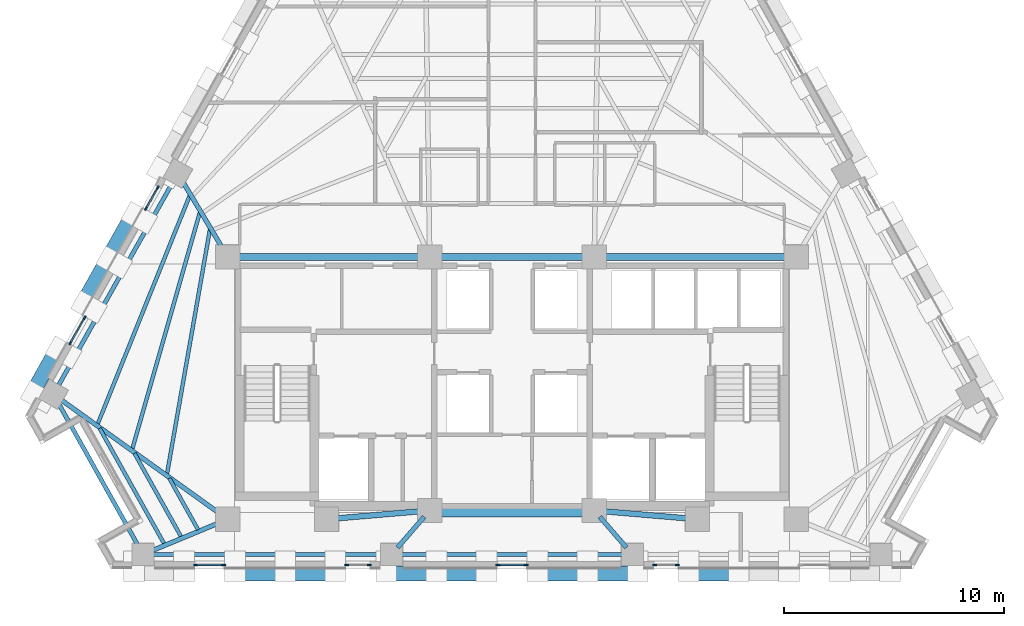
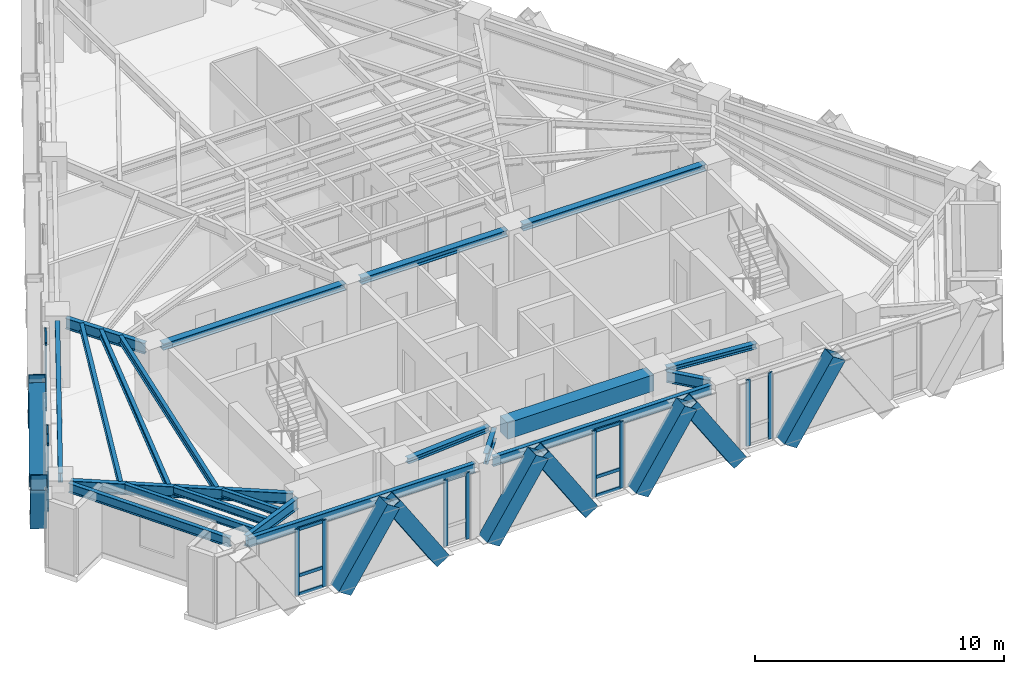
# One storey, part 2 of 13: 34 members, 21 beams, 6 elements without a shape of their own.
"""IFC4 building model written with IfcOpenShell, lengths in metres."""

from ifc_helpers import new_model, si_unit, direction, frame, origin, origin_2d, place, context, subcontext, project, spatial, rectangle, hollow_rectangle, i_section, extrude, material, material_profile, profile_set, type_object, element, aggregate, save


model = new_model("IFC4")

# Units and contexts
model_context = context("Model", 3, precision=1e-05, world=origin(), true_north=direction((0.0, 1.0)))
body_context = subcontext(model_context, "Body", "Model", "MODEL_VIEW")
ifc_project = project(units=[si_unit("LENGTHUNIT", "METRE"), si_unit("AREAUNIT", "SQUARE_METRE"), si_unit("VOLUMEUNIT", "CUBIC_METRE"), si_unit("PLANEANGLEUNIT", "RADIAN"), si_unit("MASSUNIT", "GRAM", prefix="KILO")], contexts=[model_context])

# Site, building, storey
site_placement = place(None, origin())
site = spatial("IfcSite", under=ifc_project, at=site_placement, CompositionType="ELEMENT")
building_placement = place(site_placement, origin())
building = spatial("IfcBuilding", under=site, at=building_placement, Name="Quenlor Broadcast Tower", CompositionType="ELEMENT")
storey_placement = place(building_placement, frame((0.0, 0.0, 137.0)))
storey = spatial("IfcBuildingStorey", under=building, at=storey_placement, Name="L37", CompositionType="ELEMENT", Elevation=137.0)

# Curtain wall, members
ifc_material_1 = material(Name="Architectural Terracotta and Low-E Glazing", Category="masonry")
curtain_wall_type = type_object("IfcCurtainWallType", Name="Unitised Terracotta Curtain Wall System Z3", PredefinedType="NOTDEFINED", material=ifc_material_1)
curtain_wall_1_placement = place(storey_placement, origin())
curtain_wall_1 = element("IfcCurtainWall", 1, at=curtain_wall_1_placement, inside=storey, type_object=curtain_wall_type, Name="L37 Curtain Wall CW3 (L37-SA-G2)", PredefinedType="NOTDEFINED")
ifc_material_2 = material(Name="Aluminium 6063-T6", Category="aluminium")
ifc_material_profile_1 = material_profile(ifc_material_2, rectangle(XDim=0.070068359375, YDim=0.18994140625, at=origin_2d()))
ifc_profile_set_1 = profile_set([ifc_material_profile_1], Name="Aluminium 6063-T6 MULL70x190")
member_type_1 = type_object("IfcMemberType", Name="CW3 Aluminium Mullion MULL_CW3", PredefinedType="MULLION", material=ifc_profile_set_1)
member_1_placement = place(storey_placement, frame((7.52197265625, -18.824951171875, 0.0), z_axis=(0.0, 0.0, 1.0), x_axis=(0.0, -1.0, 0.0)))
member_1 = element("IfcMember", 2, at=member_1_placement, type_object=member_type_1, Name="CW3 mullion 1", PredefinedType="MULLION", context=body_context, shape_type="SweptSolid", body=[
    extrude(rectangle(XDim=0.070068359375, YDim=0.18994140625, at=origin_2d()), origin(), (0.0, 0.0, 1.0), 3.25),
])
member_2_placement = place(storey_placement, frame((6.5009765625, -18.824951171875, 0.0), z_axis=(0.0, 0.0, 1.0), x_axis=(0.0, -1.0, 0.0)))
member_2 = element("IfcMember", 3, at=member_2_placement, type_object=member_type_1, Name="CW3 mullion 2", PredefinedType="MULLION", context=body_context, shape_type="SweptSolid", body=[
    extrude(rectangle(XDim=0.070068359375, YDim=0.18994140625, at=origin_2d()), origin(), (0.0, 0.0, 1.0), 3.25),
])
aggregate(curtain_wall_1, [member_1, member_2])

curtain_wall_2_placement = place(storey_placement, origin())
curtain_wall_2 = element("IfcCurtainWall", 4, at=curtain_wall_2_placement, inside=storey, type_object=curtain_wall_type, Name="L37 Curtain Wall CW3 (L37-SC-G1)", PredefinedType="NOTDEFINED")
member_3_placement = place(storey_placement, frame((-6.5009765625, -18.824951171875, 0.0), z_axis=(0.0, 0.0, 1.0), x_axis=(0.0, -1.0, 0.0)))
member_3 = element("IfcMember", 5, at=member_3_placement, type_object=member_type_1, Name="CW3 mullion 1", PredefinedType="MULLION", context=body_context, shape_type="SweptSolid", body=[
    extrude(rectangle(XDim=0.070068359375, YDim=0.18994140625, at=origin_2d()), origin(), (0.0, 0.0, 1.0), 3.25),
])
member_4_placement = place(storey_placement, frame((-7.52197265625, -18.824951171875, 0.0), z_axis=(0.0, 0.0, 1.0), x_axis=(0.0, -1.0, 0.0)))
member_4 = element("IfcMember", 6, at=member_4_placement, type_object=member_type_1, Name="CW3 mullion 2", PredefinedType="MULLION", context=body_context, shape_type="SweptSolid", body=[
    extrude(rectangle(XDim=0.070068359375, YDim=0.18994140625, at=origin_2d()), origin(), (0.0, 0.0, 1.0), 3.25),
])
aggregate(curtain_wall_2, [member_3, member_4])

curtain_wall_3_placement = place(storey_placement, origin())
curtain_wall_3 = element("IfcCurtainWall", 7, at=curtain_wall_3_placement, inside=storey, type_object=curtain_wall_type, Name="L37 Curtain Wall CW3 (L37-SC-G2)", PredefinedType="NOTDEFINED")
member_5_placement = place(storey_placement, frame((-13.14208984375, -18.824951171875, 0.0), z_axis=(0.0, 0.0, 1.0), x_axis=(0.0, -1.0, 0.0)))
member_5 = element("IfcMember", 8, at=member_5_placement, type_object=member_type_1, Name="CW3 mullion 1", PredefinedType="MULLION", context=body_context, shape_type="SweptSolid", body=[
    extrude(rectangle(XDim=0.070068359375, YDim=0.18994140625, at=origin_2d()), origin(), (0.0, 0.0, 1.0), 3.25),
])
member_6_placement = place(storey_placement, frame((-14.409912109375, -18.824951171875, 0.0), z_axis=(0.0, 0.0, 1.0), x_axis=(0.0, -1.0, 0.0)))
member_6 = element("IfcMember", 9, at=member_6_placement, type_object=member_type_1, Name="CW3 mullion 2", PredefinedType="MULLION", context=body_context, shape_type="SweptSolid", body=[
    extrude(rectangle(XDim=0.070068359375, YDim=0.18994140625, at=origin_2d()), origin(), (0.0, 0.0, 1.0), 3.25),
])

curtain_wall_4_placement = place(storey_placement, origin())
curtain_wall_4 = element("IfcCurtainWall", 10, at=curtain_wall_4_placement, inside=storey, type_object=curtain_wall_type, Name="L37 Curtain Wall CW3 (L37-S-G1)", PredefinedType="NOTDEFINED")
member_7_placement = place(storey_placement, frame((0.634033203125, -18.824951171875, 0.0), z_axis=(0.0, 0.0, 1.0), x_axis=(0.0, -1.0, 0.0)))
member_7 = element("IfcMember", 11, at=member_7_placement, type_object=member_type_1, Name="CW3 mullion 1", PredefinedType="MULLION", context=body_context, shape_type="SweptSolid", body=[
    extrude(rectangle(XDim=0.070068359375, YDim=0.18994140625, at=origin_2d()), origin(), (0.0, 0.0, 1.0), 3.25),
])
member_8_placement = place(storey_placement, frame((-0.634033203125, -18.824951171875, 0.0), z_axis=(0.0, 0.0, 1.0), x_axis=(0.0, -1.0, 0.0)))
member_8 = element("IfcMember", 12, at=member_8_placement, type_object=member_type_1, Name="CW3 mullion 2", PredefinedType="MULLION", context=body_context, shape_type="SweptSolid", body=[
    extrude(rectangle(XDim=0.070068359375, YDim=0.18994140625, at=origin_2d()), origin(), (0.0, 0.0, 1.0), 3.25),
])

curtain_wall_5_placement = place(storey_placement, origin())
curtain_wall_5 = element("IfcCurtainWall", 13, at=curtain_wall_5_placement, inside=storey, type_object=curtain_wall_type, Name="L37 Curtain Wall CW3 (L37-NWA-G1)", PredefinedType="NOTDEFINED")
member_9_placement = place(storey_placement, frame((-20.1171875, -8.720703125, 0.0), z_axis=(0.0, 0.0, 1.0), x_axis=(-0.871575537123, 0.490261239636, 0.0)))
member_9 = element("IfcMember", 14, at=member_9_placement, type_object=member_type_1, Name="CW3 mullion 1", PredefinedType="MULLION", context=body_context, shape_type="SweptSolid", body=[
    extrude(rectangle(XDim=0.070068359375, YDim=0.18994140625, at=origin_2d()), origin(), (0.0, 0.0, 1.0), 3.25),
])
member_10_placement = place(storey_placement, frame((-19.47021484375, -7.570556640625, 0.0), z_axis=(0.0, 0.0, 1.0), x_axis=(-0.871575537123, 0.490261239636, 0.0)))
member_10 = element("IfcMember", 15, at=member_10_placement, type_object=member_type_1, Name="CW3 mullion 2", PredefinedType="MULLION", context=body_context, shape_type="SweptSolid", body=[
    extrude(rectangle(XDim=0.070068359375, YDim=0.18994140625, at=origin_2d()), origin(), (0.0, 0.0, 1.0), 3.25),
])

curtain_wall_6_placement = place(storey_placement, origin())
curtain_wall_6 = element("IfcCurtainWall", 16, at=curtain_wall_6_placement, inside=storey, type_object=curtain_wall_type, Name="L37 Curtain Wall CW3 (L37-NWA-G2)", PredefinedType="NOTDEFINED")
member_11_placement = place(storey_placement, frame((-16.6689453125, -2.5908203125, 0.0), z_axis=(0.0, 0.0, 1.0), x_axis=(-0.871580169247, 0.490253004657, 0.0)))
member_11 = element("IfcMember", 17, at=member_11_placement, type_object=member_type_1, Name="CW3 mullion 1", PredefinedType="MULLION", context=body_context, shape_type="SweptSolid", body=[
    extrude(rectangle(XDim=0.070068359375, YDim=0.18994140625, at=origin_2d()), origin(), (0.0, 0.0, 1.0), 3.25),
])
member_12_placement = place(storey_placement, frame((-16.137939453125, -1.646728515625, 0.0), z_axis=(0.0, 0.0, 1.0), x_axis=(-0.871580169247, 0.490253004657, 0.0)))
member_12 = element("IfcMember", 18, at=member_12_placement, type_object=member_type_1, Name="CW3 mullion 2", PredefinedType="MULLION", context=body_context, shape_type="SweptSolid", body=[
    extrude(rectangle(XDim=0.070068359375, YDim=0.18994140625, at=origin_2d()), origin(), (0.0, 0.0, 1.0), 3.25),
])

# Member
ifc_material_3 = material(Name="Aluminium 6063-T6", Category="aluminium")
ifc_material_profile_2 = material_profile(ifc_material_3, rectangle(XDim=0.070068359375, YDim=0.155029296875, at=origin_2d()))
ifc_profile_set_2 = profile_set([ifc_material_profile_2], Name="Aluminium 6063-T6 TRAN70x155")
member_type_2 = type_object("IfcMemberType", Name="CW3 Aluminium Transom TRAN_CW3", PredefinedType="USERDEFINED", material=ifc_profile_set_2)
member_13_placement = place(storey_placement, frame((-13.177001953125, -18.824951171875, 0.034912109375), z_axis=(-1.0, 0.0, 0.0), x_axis=(0.0, -1.0, 0.0)))
member_13 = element("IfcMember", 19, at=member_13_placement, type_object=member_type_2, Name="CW3 transom 1.1", ObjectType="TRANSOM", PredefinedType="USERDEFINED", context=body_context, shape_type="SweptSolid", body=[
    extrude(rectangle(XDim=0.070068359375, YDim=0.155029296875, at=origin_2d()), origin(), (0.0, 0.0, 1.0), 1.197998046875),
])

member_14_placement = place(storey_placement, frame((-13.177001953125, -18.824951171875, 0.949951171875), z_axis=(-1.0, 0.0, 0.0), x_axis=(0.0, -1.0, 0.0)))
member_14 = element("IfcMember", 20, at=member_14_placement, type_object=member_type_2, Name="CW3 transom 1.2", ObjectType="TRANSOM", PredefinedType="USERDEFINED", context=body_context, shape_type="SweptSolid", body=[
    extrude(rectangle(XDim=0.070068359375, YDim=0.155029296875, at=origin_2d()), origin(), (0.0, 0.0, 1.0), 1.197998046875),
])

member_15_placement = place(storey_placement, frame((-13.177001953125, -18.824951171875, 3.215087890625), z_axis=(-1.0, 0.0, 0.0), x_axis=(0.0, -1.0, 0.0)))
member_15 = element("IfcMember", 21, at=member_15_placement, type_object=member_type_2, Name="CW3 transom 1.3", ObjectType="TRANSOM", PredefinedType="USERDEFINED", context=body_context, shape_type="SweptSolid", body=[
    extrude(rectangle(XDim=0.070068359375, YDim=0.155029296875, at=origin_2d()), origin(), (0.0, 0.0, 1.0), 1.197998046875),
])

aggregate(curtain_wall_3, [member_5, member_6, member_13, member_14, member_15])

member_16_placement = place(storey_placement, frame((0.59912109375, -18.824951171875, 0.034912109375), z_axis=(-1.0, 0.0, 0.0), x_axis=(0.0, -1.0, 0.0)))
member_16 = element("IfcMember", 22, at=member_16_placement, type_object=member_type_2, Name="CW3 transom 1.1", ObjectType="TRANSOM", PredefinedType="USERDEFINED", context=body_context, shape_type="SweptSolid", body=[
    extrude(rectangle(XDim=0.070068359375, YDim=0.155029296875, at=origin_2d()), origin(), (0.0, 0.0, 1.0), 1.1982421875),
])

member_17_placement = place(storey_placement, frame((0.59912109375, -18.824951171875, 0.949951171875), z_axis=(-1.0, 0.0, 0.0), x_axis=(0.0, -1.0, 0.0)))
member_17 = element("IfcMember", 23, at=member_17_placement, type_object=member_type_2, Name="CW3 transom 1.2", ObjectType="TRANSOM", PredefinedType="USERDEFINED", context=body_context, shape_type="SweptSolid", body=[
    extrude(rectangle(XDim=0.070068359375, YDim=0.155029296875, at=origin_2d()), origin(), (0.0, 0.0, 1.0), 1.1982421875),
])

member_18_placement = place(storey_placement, frame((0.59912109375, -18.824951171875, 3.215087890625), z_axis=(-1.0, 0.0, 0.0), x_axis=(0.0, -1.0, 0.0)))
member_18 = element("IfcMember", 24, at=member_18_placement, type_object=member_type_2, Name="CW3 transom 1.3", ObjectType="TRANSOM", PredefinedType="USERDEFINED", context=body_context, shape_type="SweptSolid", body=[
    extrude(rectangle(XDim=0.070068359375, YDim=0.155029296875, at=origin_2d()), origin(), (0.0, 0.0, 1.0), 1.1982421875),
])

aggregate(curtain_wall_4, [member_7, member_8, member_16, member_17, member_18])

member_19_placement = place(storey_placement, frame((-20.10009765625, -8.690185546875, 0.034912109375), z_axis=(0.490363266059, 0.871518139398, 0.0), x_axis=(-0.871518139398, 0.490363266059, 0.0)))
member_19 = element("IfcMember", 25, at=member_19_placement, type_object=member_type_2, Name="CW3 transom 1.1", ObjectType="TRANSOM", PredefinedType="USERDEFINED", context=body_context, shape_type="SweptSolid", body=[
    extrude(rectangle(XDim=0.070068359375, YDim=0.155029296875, at=origin_2d()), origin(), (0.0, 0.0, 1.0), 1.249755859375),
])

member_20_placement = place(storey_placement, frame((-20.10009765625, -8.690185546875, 0.949951171875), z_axis=(0.490363266059, 0.871518139398, 0.0), x_axis=(-0.871518139398, 0.490363266059, 0.0)))
member_20 = element("IfcMember", 26, at=member_20_placement, type_object=member_type_2, Name="CW3 transom 1.2", ObjectType="TRANSOM", PredefinedType="USERDEFINED", context=body_context, shape_type="SweptSolid", body=[
    extrude(rectangle(XDim=0.070068359375, YDim=0.155029296875, at=origin_2d()), origin(), (0.0, 0.0, 1.0), 1.249755859375),
])

member_21_placement = place(storey_placement, frame((-20.10009765625, -8.690185546875, 3.215087890625), z_axis=(0.490363266059, 0.871518139398, 0.0), x_axis=(-0.871518139398, 0.490363266059, 0.0)))
member_21 = element("IfcMember", 27, at=member_21_placement, type_object=member_type_2, Name="CW3 transom 1.3", ObjectType="TRANSOM", PredefinedType="USERDEFINED", context=body_context, shape_type="SweptSolid", body=[
    extrude(rectangle(XDim=0.070068359375, YDim=0.155029296875, at=origin_2d()), origin(), (0.0, 0.0, 1.0), 1.249755859375),
])

aggregate(curtain_wall_5, [member_9, member_10, member_19, member_20, member_21])

member_22_placement = place(storey_placement, frame((-16.65185546875, -2.560302734375, 0.034912109375), z_axis=(0.49015826449, 0.871633452635, 0.0), x_axis=(-0.871633452635, 0.49015826449, 0.0)))
member_22 = element("IfcMember", 28, at=member_22_placement, type_object=member_type_2, Name="CW3 transom 1.1", ObjectType="TRANSOM", PredefinedType="USERDEFINED", context=body_context, shape_type="SweptSolid", body=[
    extrude(rectangle(XDim=0.070068359375, YDim=0.155029296875, at=origin_2d()), origin(), (0.0, 0.0, 1.0), 1.01318359375),
])

member_23_placement = place(storey_placement, frame((-16.65185546875, -2.560302734375, 0.949951171875), z_axis=(0.49015826449, 0.871633452635, 0.0), x_axis=(-0.871633452635, 0.49015826449, 0.0)))
member_23 = element("IfcMember", 29, at=member_23_placement, type_object=member_type_2, Name="CW3 transom 1.2", ObjectType="TRANSOM", PredefinedType="USERDEFINED", context=body_context, shape_type="SweptSolid", body=[
    extrude(rectangle(XDim=0.070068359375, YDim=0.155029296875, at=origin_2d()), origin(), (0.0, 0.0, 1.0), 1.01318359375),
])

member_24_placement = place(storey_placement, frame((-16.65185546875, -2.560302734375, 3.215087890625), z_axis=(0.49015826449, 0.871633452635, 0.0), x_axis=(-0.871633452635, 0.49015826449, 0.0)))
member_24 = element("IfcMember", 30, at=member_24_placement, type_object=member_type_2, Name="CW3 transom 1.3", ObjectType="TRANSOM", PredefinedType="USERDEFINED", context=body_context, shape_type="SweptSolid", body=[
    extrude(rectangle(XDim=0.070068359375, YDim=0.155029296875, at=origin_2d()), origin(), (0.0, 0.0, 1.0), 1.01318359375),
])

aggregate(curtain_wall_6, [member_11, member_12, member_22, member_23, member_24])

# Beams
ifc_material_4 = material(Name="Concrete C50/60", Category="concrete")
ifc_material_profile_3 = material_profile(ifc_material_4, rectangle(XDim=0.60009765625, YDim=0.800048828125, at=origin_2d()))
ifc_profile_set_3 = profile_set([ifc_material_profile_3], Name="Concrete C50/60 RCB600x800")
beam_type_1 = type_object("IfcBeamType", Name="Core Coupling Beam Concrete C50/60 600x800", PredefinedType="BEAM", material=ifc_profile_set_3)
beam_1_placement = place(storey_placement, frame((-3.389892578125, -16.35009765625, 2.85009765625), z_axis=(1.0, 0.0, 0.0), x_axis=(0.0, 1.0, 0.0)))
element("IfcBeam", 31, at=beam_1_placement, inside=storey, type_object=beam_type_1, Name="L37 Core Coupling Beam 6", PredefinedType="BEAM", context=body_context, shape_type="SweptSolid", body=[
    extrude(rectangle(XDim=0.60009765625, YDim=0.800048828125, at=origin_2d()), origin(), (0.0, 0.0, 1.0), 6.77978515625),
])
ifc_material_5 = material(Name="Steel S355", Category="steel")
ifc_material_profile_4 = material_profile(ifc_material_5, i_section(OverallWidth=0.304931640625, OverallDepth=0.30810546875, WebThickness=0.010009765625, FlangeThickness=0.015380859375, FilletRadius=0.0166015625, at=origin_2d()))
ifc_profile_set_4 = profile_set([ifc_material_profile_4], Name="Steel S355 310UC96.8")
beam_type_2 = type_object("IfcBeamType", Name="Core Header Beam Steel S355 310UC96.8", PredefinedType="BEAM", material=ifc_profile_set_4)
beam_2_placement = place(storey_placement, frame((-3.389892578125, -4.800048828125, 3.095947265625), z_axis=(1.0, 0.0, 0.0), x_axis=(0.0, 1.0, 0.0)))
element("IfcBeam", 32, at=beam_2_placement, inside=storey, type_object=beam_type_2, Name="L37 Core Header Beam 2", PredefinedType="BEAM", context=body_context, shape_type="SweptSolid", body=[
    extrude(i_section(OverallWidth=0.304931640625, OverallDepth=0.30810546875, WebThickness=0.010009765625, FlangeThickness=0.015380859375, FilletRadius=0.0166015625, at=origin_2d()), origin(), (0.0, 0.0, 1.0), 6.77978515625),
])
ifc_material_6 = material(Name="Steel S355", Category="steel")
ifc_material_profile_5 = material_profile(ifc_material_6, i_section(OverallWidth=0.25390625, OverallDepth=0.25390625, WebThickness=0.008544921875, FlangeThickness=0.01416015625, FilletRadius=0.013916015625, at=origin_2d()))
ifc_profile_set_5 = profile_set([ifc_material_profile_5], Name="Steel S355 250UC72.9")
beam_type_3 = type_object("IfcBeamType", Name="Core Opening Lintel Beam Steel S355 250UC72.9", PredefinedType="LINTEL", material=ifc_profile_set_5)
for number, where, z_axis, x_axis, name in (
    (33, (-8.09130859375, -16.719482421875, 3.123046875), (0.996399763903, 0.084779186679, 0.0), (-0.084779186679, 0.996399763903, 0.0), "L37 Core Opening Lintel Beam 4"),
    (34, (4.108642578125, -16.380615234375, 3.123046875), (0.996399763903, -0.084779186679, 0.0), (0.084779186679, 0.996399763903, 0.0), "L37 Core Opening Lintel Beam 5"),
):
    element("IfcBeam", number, at=place(storey_placement, frame(where, z_axis=z_axis, x_axis=x_axis)), inside=storey, type_object=beam_type_3, Name=name, PredefinedType="LINTEL", context=body_context, shape_type="SweptSolid", body=[
        extrude(i_section(OverallWidth=0.25390625, OverallDepth=0.25390625, WebThickness=0.008544921875, FlangeThickness=0.01416015625, FilletRadius=0.013916015625, at=origin_2d()), origin(), (0.0, 0.0, 1.0), 3.9970703125),
    ])
ifc_material_7 = material(Name="Steel S355", Category="steel")
ifc_material_profile_6 = material_profile(ifc_material_7, i_section(OverallWidth=0.306884765625, OverallDepth=0.314697265625, WebThickness=0.011962890625, FlangeThickness=0.018798828125, FilletRadius=0.0166015625, at=origin_2d()))
ifc_profile_set_6 = profile_set([ifc_material_profile_6], Name="Steel S355 310UC118")
beam_type_4 = type_object("IfcBeamType", Name="Core Tie Beam Steel S355 310UC118", PredefinedType="BEAM", material=ifc_profile_set_6)
for number, where, z_axis, x_axis, name in (
    (35, (-12.590087890625, -4.800048828125, 3.0927734375), (1.0, 0.0, 0.0), (0.0, 1.0, 0.0), "L37 Core Tie Beam 1"),
    (36, (4.110107421875, -4.800048828125, 3.0927734375), (1.0, 0.0, 0.0), (0.0, 1.0, 0.0), "L37 Core Tie Beam 3"),
):
    element("IfcBeam", number, at=place(storey_placement, frame(where, z_axis=z_axis, x_axis=x_axis)), inside=storey, type_object=beam_type_4, Name=name, PredefinedType="BEAM", context=body_context, shape_type="SweptSolid", body=[
        extrude(i_section(OverallWidth=0.306884765625, OverallDepth=0.314697265625, WebThickness=0.011962890625, FlangeThickness=0.018798828125, FilletRadius=0.0166015625, at=origin_2d()), origin(), (0.0, 0.0, 1.0), 8.47998046875),
    ])

# Members
ifc_material_8 = material(Name="Steel S355", Category="steel")
ifc_material_profile_7 = material_profile(ifc_material_8, hollow_rectangle(XDim=0.679931640625, YDim=0.679931640625, WallThickness=0.02490234375, at=origin_2d()))
ifc_profile_set_7 = profile_set([ifc_material_profile_7], Name="Steel S355 RHS680x680x25")
member_type_3 = type_object("IfcMemberType", Name="Perimeter Diagonal Lattice Brace Z3-Z4 Steel S355 RHS680x25", PredefinedType="BRACE", material=ifc_profile_set_7)
member_25_placement = place(storey_placement, frame((5.726318359375, -19.219970703125, -0.1201171875), z_axis=(-0.543901560697, 0.0, 0.839149028643), x_axis=(0.0, -1.0, 0.0)))
element("IfcMember", 37, at=member_25_placement, inside=storey, type_object=member_type_3, Name="L37 Perimeter Diamond Lattice S-C2S", PredefinedType="BRACE", context=body_context, shape_type="SweptSolid", body=[
    extrude(hollow_rectangle(XDim=0.679931640625, YDim=0.679931640625, WallThickness=0.02490234375, at=origin_2d()), origin(), (0.0, 0.0, 1.0), 4.1708984375),
])
for number, where, z_axis, x_axis, name in (
    (38, (8.0498046875, -19.219970703125, -0.1201171875), (0.543860340502, 0.0, 0.839175744424), (0.0, 1.0, 0.0), "L37 Perimeter Diamond Lattice S-C2B"),
    (39, (-1.161865234375, -19.219970703125, -0.1201171875), (-0.543860340502, 0.0, 0.839175744424), (0.0, -1.0, 0.0), "L37 Perimeter Diamond Lattice S-C3S"),
    (40, (1.161865234375, -19.219970703125, -0.1201171875), (0.543860340502, 0.0, 0.839175744424), (0.0, 1.0, 0.0), "L37 Perimeter Diamond Lattice S-C3B"),
    (41, (-8.0498046875, -19.219970703125, -0.1201171875), (-0.543860340502, 0.0, 0.839175744424), (0.0, -1.0, 0.0), "L37 Perimeter Diamond Lattice S-C4S"),
):
    element("IfcMember", number, at=place(storey_placement, frame(where, z_axis=z_axis, x_axis=x_axis)), inside=storey, type_object=member_type_3, Name=name, PredefinedType="BRACE", context=body_context, shape_type="SweptSolid", body=[
        extrude(hollow_rectangle(XDim=0.679931640625, YDim=0.679931640625, WallThickness=0.02490234375, at=origin_2d()), origin(), (0.0, 0.0, 1.0), 4.170654296875),
    ])
for number, where, z_axis, x_axis, name in (
    (42, (-5.726318359375, -19.219970703125, -0.1201171875), (0.543901560697, 0.0, 0.839149028643), (0.0, 1.0, 0.0), "L37 Perimeter Diamond Lattice S-C4B"),
    (43, (-12.6142578125, -19.219970703125, -0.1201171875), (0.543901560697, 0.0, 0.839149028643), (0.0, 1.0, 0.0), "L37 Perimeter Diamond Lattice S-C5B"),
):
    element("IfcMember", number, at=place(storey_placement, frame(where, z_axis=z_axis, x_axis=x_axis)), inside=storey, type_object=member_type_3, Name=name, PredefinedType="BRACE", context=body_context, shape_type="SweptSolid", body=[
        extrude(hollow_rectangle(XDim=0.679931640625, YDim=0.679931640625, WallThickness=0.02490234375, at=origin_2d()), origin(), (0.0, 0.0, 1.0), 4.1708984375),
    ])
for number, where, z_axis, x_axis, name in (
    (44, (-19.556396484375, -6.918212890625, -0.1201171875), (0.2705491942, 0.481008661973, 0.833926735766), (-0.871589611547, 0.490236217596, 0.0), "L37 Perimeter Diamond Lattice NW-C1S"),
    (45, (-20.719482421875, -8.98583984375, -0.1201171875), (-0.2705491942, -0.481008661973, 0.833926735766), (0.871589611547, -0.490236217596, 0.0), "L37 Perimeter Diamond Lattice NW-C1B"),
    (46, (-17.271484375, -2.85595703125, -0.1201171875), (-0.2705491942, -0.481008661973, 0.833926735766), (0.871589611547, -0.490236217596, 0.0), "L37 Perimeter Diamond Lattice NW-C2B"),
):
    element("IfcMember", number, at=place(storey_placement, frame(where, z_axis=z_axis, x_axis=x_axis)), inside=storey, type_object=member_type_3, Name=name, PredefinedType="BRACE", context=body_context, shape_type="SweptSolid", body=[
        extrude(hollow_rectangle(XDim=0.679931640625, YDim=0.679931640625, WallThickness=0.02490234375, at=origin_2d()), origin(), (0.0, 0.0, 1.0), 4.197021484375),
    ])

# Beams
ifc_material_9 = material(Name="Steel S355", Category="steel")
ifc_material_profile_8 = material_profile(ifc_material_9, i_section(OverallWidth=0.19091796875, OverallDepth=0.46044921875, WebThickness=0.010009765625, FlangeThickness=0.01611328125, FilletRadius=0.011474609375, at=origin_2d()))
ifc_profile_set_8 = profile_set([ifc_material_profile_8], Name="Steel S355 460UB82.1")
beam_type_5 = type_object("IfcBeamType", Name="Perimeter Spandrel Beam Z3 Steel S355 460UB82.1", PredefinedType="SPANDREL", material=ifc_profile_set_8)
beam_3_placement = place(storey_placement, frame((-16.3984375, -18.35009765625, 3.019775390625), z_axis=(1.0, 0.0, 0.0), x_axis=(0.0, 1.0, 0.0)))
element("IfcBeam", 47, at=beam_3_placement, inside=storey, type_object=beam_type_5, Name="L37 Spandrel Beam S1-S2", PredefinedType="SPANDREL", context=body_context, shape_type="SweptSolid", body=[
    extrude(i_section(OverallWidth=0.19091796875, OverallDepth=0.46044921875, WebThickness=0.010009765625, FlangeThickness=0.01611328125, FilletRadius=0.011474609375, at=origin_2d()), origin(), (0.0, 0.0, 1.0), 10.50732421875),
])
beam_4_placement = place(storey_placement, frame((-5.071044921875, -18.35009765625, 3.019775390625), z_axis=(1.0, 0.0, 0.0), x_axis=(0.0, 1.0, 0.0)))
element("IfcBeam", 48, at=beam_4_placement, inside=storey, type_object=beam_type_5, Name="L37 Spandrel Beam S2-S3", PredefinedType="SPANDREL", context=body_context, shape_type="SweptSolid", body=[
    extrude(i_section(OverallWidth=0.19091796875, OverallDepth=0.46044921875, WebThickness=0.010009765625, FlangeThickness=0.01611328125, FilletRadius=0.011474609375, at=origin_2d()), origin(), (0.0, 0.0, 1.0), 10.14208984375),
])
beam_5_placement = place(storey_placement, frame((-15.425048828125, -1.347900390625, 3.019775390625), z_axis=(-0.490257999604, -0.871577359633, 0.0), x_axis=(0.871577359633, -0.490257999604, 0.0)))
element("IfcBeam", 49, at=beam_5_placement, inside=storey, type_object=beam_type_5, Name="L37 Spandrel Beam NW3-NW4", PredefinedType="SPANDREL", context=body_context, shape_type="SweptSolid", body=[
    extrude(i_section(OverallWidth=0.19091796875, OverallDepth=0.46044921875, WebThickness=0.010009765625, FlangeThickness=0.01611328125, FilletRadius=0.011474609375, at=origin_2d()), origin(), (0.0, 0.0, 1.0), 10.732666015625),
])
beam_6_placement = place(storey_placement, frame((-20.6875, -11.417236328125, 3.019775390625), z_axis=(0.488298439934, -0.872676706208, 0.0), x_axis=(0.872676706208, 0.488298439934, 0.0)))
element("IfcBeam", 50, at=beam_6_placement, inside=storey, type_object=beam_type_5, Name="L37 Spandrel Beam NW4-S1", PredefinedType="SPANDREL", context=body_context, shape_type="SweptSolid", body=[
    extrude(i_section(OverallWidth=0.19091796875, OverallDepth=0.46044921875, WebThickness=0.010009765625, FlangeThickness=0.01611328125, FilletRadius=0.011474609375, at=origin_2d()), origin(), (0.0, 0.0, 1.0), 7.5341796875),
])
ifc_material_10 = material(Name="Steel S355", Category="steel")
ifc_material_profile_9 = material_profile(ifc_material_10, i_section(OverallWidth=0.172119140625, OverallDepth=0.358642578125, WebThickness=0.008056640625, FlangeThickness=0.012939453125, FilletRadius=0.011474609375, at=origin_2d()))
ifc_profile_set_9 = profile_set([ifc_material_profile_9], Name="Steel S355 360UB56.7")
beam_type_6 = type_object("IfcBeamType", Name="Tower Composite Joist Z2-Z3 Steel S355 360UB56.7", PredefinedType="JOIST", material=ifc_profile_set_9)
beam_7_placement = place(storey_placement, frame((-15.71435546875, -14.679443359375, 3.07080078125), z_axis=(0.172906811417, 0.984938188195, 0.0), x_axis=(-0.984938188195, 0.172906811417, 0.0)))
element("IfcBeam", 51, at=beam_7_placement, inside=storey, type_object=beam_type_6, Name="L37 Secondary Composite Joist 13", PredefinedType="JOIST", context=body_context, shape_type="SweptSolid", body=[
    extrude(i_section(OverallWidth=0.172119140625, OverallDepth=0.358642578125, WebThickness=0.008056640625, FlangeThickness=0.012939453125, FilletRadius=0.011474609375, at=origin_2d()), origin(), (0.0, 0.0, 1.0), 11.30419921875),
])
beam_8_placement = place(storey_placement, frame((-17.293701171875, -13.543212890625, 3.07080078125), z_axis=(0.274418577045, 0.961610339261, 0.0), x_axis=(-0.961610339261, 0.274418577045, 0.0)))
element("IfcBeam", 52, at=beam_8_placement, inside=storey, type_object=beam_type_6, Name="L37 Secondary Composite Joist 14", PredefinedType="JOIST", context=body_context, shape_type="SweptSolid", body=[
    extrude(i_section(OverallWidth=0.172119140625, OverallDepth=0.358642578125, WebThickness=0.008056640625, FlangeThickness=0.012939453125, FilletRadius=0.011474609375, at=origin_2d()), origin(), (0.0, 0.0, 1.0), 11.191162109375),
])
beam_9_placement = place(storey_placement, frame((-18.873291015625, -12.407958984375, 3.07080078125), z_axis=(0.373824118901, 0.927499610851, 0.0), x_axis=(-0.927499610851, 0.373824118901, 0.0)))
element("IfcBeam", 53, at=beam_9_placement, inside=storey, type_object=beam_type_6, Name="L37 Secondary Composite Joist 15", PredefinedType="JOIST", context=body_context, shape_type="SweptSolid", body=[
    extrude(i_section(OverallWidth=0.172119140625, OverallDepth=0.358642578125, WebThickness=0.008056640625, FlangeThickness=0.012939453125, FilletRadius=0.011474609375, at=origin_2d()), origin(), (0.0, 0.0, 1.0), 11.203125),
])
beam_10_placement = place(storey_placement, frame((-14.30078125, -17.22412109375, 3.07080078125), z_axis=(-0.488370382241, 0.87263644764, 0.0), x_axis=(-0.87263644764, -0.488370382241, 0.0)))
element("IfcBeam", 54, at=beam_10_placement, inside=storey, type_object=beam_type_6, Name="L37 Secondary Composite Joist 19", PredefinedType="JOIST", context=body_context, shape_type="SweptSolid", body=[
    extrude(i_section(OverallWidth=0.172119140625, OverallDepth=0.358642578125, WebThickness=0.008056640625, FlangeThickness=0.012939453125, FilletRadius=0.011474609375, at=origin_2d()), origin(), (0.0, 0.0, 1.0), 2.680419921875),
])
beam_11_placement = place(storey_placement, frame((-15.072509765625, -17.544189453125, 3.07080078125), z_axis=(-0.488294103756, 0.872679132463, 0.0), x_axis=(-0.872679132463, -0.488294103756, 0.0)))
element("IfcBeam", 55, at=beam_11_placement, inside=storey, type_object=beam_type_6, Name="L37 Secondary Composite Joist 20", PredefinedType="JOIST", context=body_context, shape_type="SweptSolid", body=[
    extrude(i_section(OverallWidth=0.172119140625, OverallDepth=0.358642578125, WebThickness=0.008056640625, FlangeThickness=0.012939453125, FilletRadius=0.011474609375, at=origin_2d()), origin(), (0.0, 0.0, 1.0), 4.351318359375),
])
beam_12_placement = place(storey_placement, frame((-15.84423828125, -17.8642578125, 3.07080078125), z_axis=(-0.488308300212, 0.872671188905, 0.0), x_axis=(-0.872671188905, -0.488308300212, 0.0)))
element("IfcBeam", 56, at=beam_12_placement, inside=storey, type_object=beam_type_6, Name="L37 Secondary Composite Joist 21", PredefinedType="JOIST", context=body_context, shape_type="SweptSolid", body=[
    extrude(i_section(OverallWidth=0.172119140625, OverallDepth=0.358642578125, WebThickness=0.008056640625, FlangeThickness=0.012939453125, FilletRadius=0.011474609375, at=origin_2d()), origin(), (0.0, 0.0, 1.0), 6.022216796875),
])
ifc_material_11 = material(Name="Steel S355", Category="steel")
ifc_material_profile_10 = material_profile(ifc_material_11, i_section(OverallWidth=0.208984375, OverallDepth=0.532958984375, WebThickness=0.01025390625, FlangeThickness=0.015625, FilletRadius=0.013916015625, at=origin_2d()))
ifc_profile_set_10 = profile_set([ifc_material_profile_10], Name="Steel S355 530UB92.4")
beam_type_7 = type_object("IfcBeamType", Name="Tower Primary Floor Beam Z3 Steel S355 530UB92.4", PredefinedType="BEAM", material=ifc_profile_set_10)
beam_13_placement = place(storey_placement, frame((-16.4296875, -18.19287109375, 2.9833984375), z_axis=(0.923730294618, 0.383043525993, 0.0), x_axis=(-0.383043525993, 0.923730294618, 0.0)))
element("IfcBeam", 57, at=beam_13_placement, inside=storey, type_object=beam_type_7, Name="L37 Primary Radial Beam S1", PredefinedType="BEAM", context=body_context, shape_type="SweptSolid", body=[
    extrude(i_section(OverallWidth=0.208984375, OverallDepth=0.532958984375, WebThickness=0.01025390625, FlangeThickness=0.015625, FilletRadius=0.013916015625, at=origin_2d()), origin(), (0.0, 0.0, 1.0), 3.386962890625),
])
for number, where, z_axis, x_axis, name in (
    (58, (-5.212646484375, -18.0400390625, 2.9833984375), (0.654339118401, 0.75620124182, 0.0), (-0.75620124182, 0.654339118401, 0.0), "L37 Primary Radial Beam S2"),
    (59, (5.212646484375, -18.0400390625, 2.9833984375), (-0.654339118401, 0.75620124182, 0.0), (-0.75620124182, -0.654339118401, 0.0), "L37 Primary Radial Beam S3"),
):
    element("IfcBeam", number, at=place(storey_placement, frame(where, z_axis=z_axis, x_axis=x_axis)), inside=storey, type_object=beam_type_7, Name=name, PredefinedType="BEAM", context=body_context, shape_type="SweptSolid", body=[
        extrude(i_section(OverallWidth=0.208984375, OverallDepth=0.532958984375, WebThickness=0.01025390625, FlangeThickness=0.015625, FilletRadius=0.013916015625, at=origin_2d()), origin(), (0.0, 0.0, 1.0), 1.855224609375),
    ])
beam_14_placement = place(storey_placement, frame((-15.013916015625, -1.3427734375, 2.9833984375), z_axis=(0.512604023694, -0.858625130597, 0.0), x_axis=(0.858625130597, 0.512604023694, 0.0)))
element("IfcBeam", 60, at=beam_14_placement, inside=storey, type_object=beam_type_7, Name="L37 Primary Radial Beam NW3", PredefinedType="BEAM", context=body_context, shape_type="SweptSolid", body=[
    extrude(i_section(OverallWidth=0.208984375, OverallDepth=0.532958984375, WebThickness=0.01025390625, FlangeThickness=0.015625, FilletRadius=0.013916015625, at=origin_2d()), origin(), (0.0, 0.0, 1.0), 3.646484375),
])
beam_15_placement = place(storey_placement, frame((-20.554443359375, -11.29833984375, 2.9833984375), z_axis=(0.812728908832, -0.582642017666, 0.0), x_axis=(0.582642017666, 0.812728908832, 0.0)))
element("IfcBeam", 61, at=beam_15_placement, inside=storey, type_object=beam_type_7, Name="L37 Primary Radial Beam NW4", PredefinedType="BEAM", context=body_context, shape_type="SweptSolid", body=[
    extrude(i_section(OverallWidth=0.208984375, OverallDepth=0.532958984375, WebThickness=0.01025390625, FlangeThickness=0.015625, FilletRadius=0.013916015625, at=origin_2d()), origin(), (0.0, 0.0, 1.0), 8.976806640625),
])

save(model, "model.ifc")
